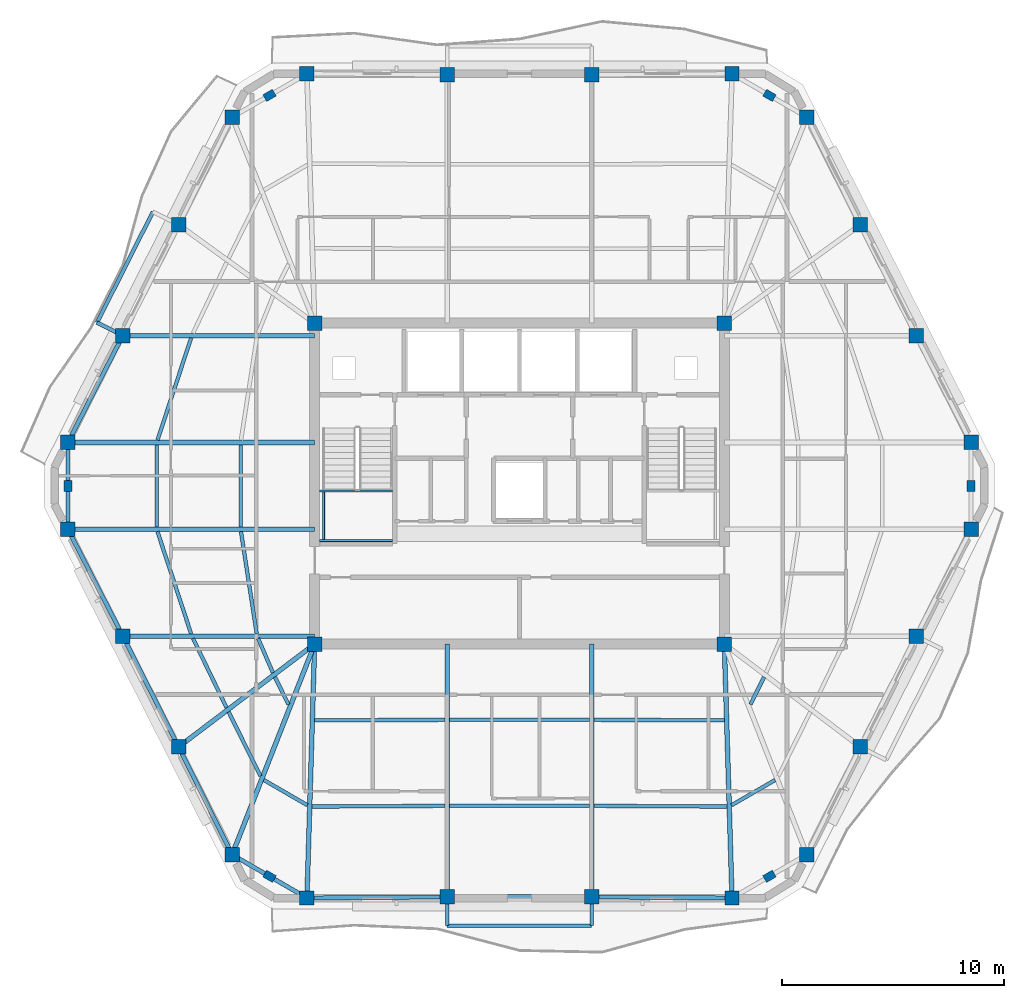
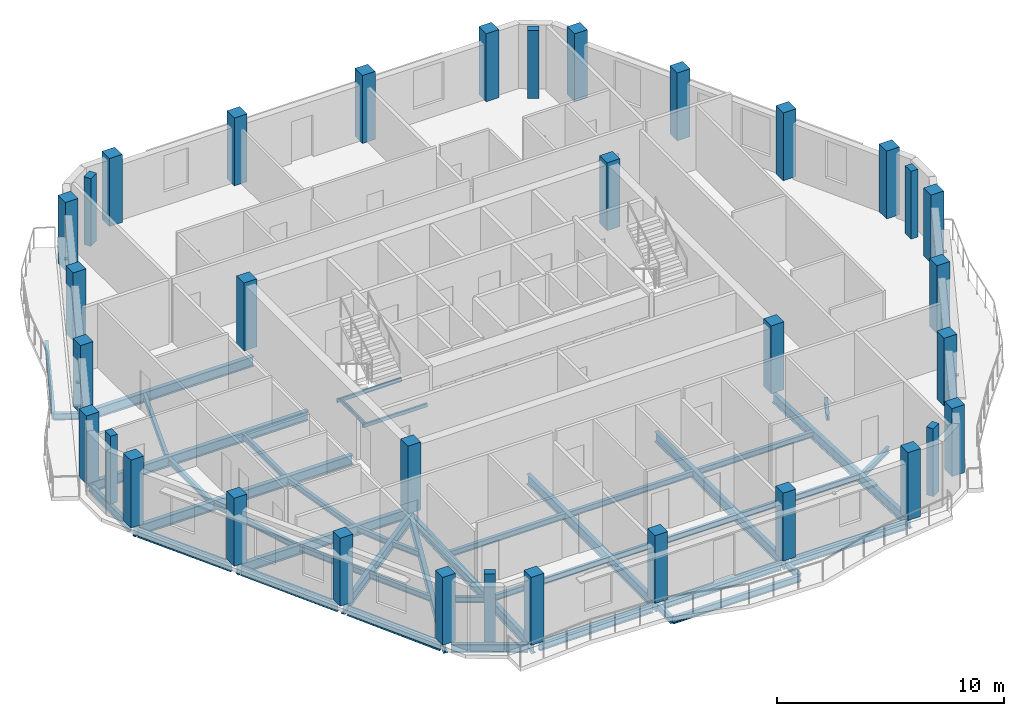
# One storey, part 1 of 12: 45 beams, 34 columns.
"""IFC4 building model written with IfcOpenShell, lengths in metres."""

from ifc_helpers import new_model, si_unit, direction, frame, origin, origin_2d, place, context, subcontext, project, spatial, rectangle, hollow_rectangle, i_section, extrude, material, material_profile, profile_set, type_object, element, save


model = new_model("IFC4")

# Units and contexts
model_context = context("Model", 3, precision=1e-05, world=origin(), true_north=direction((0.0, 1.0)))
body_context = subcontext(model_context, "Body", "Model", "MODEL_VIEW")
ifc_project = project(units=[si_unit("LENGTHUNIT", "METRE"), si_unit("AREAUNIT", "SQUARE_METRE"), si_unit("VOLUMEUNIT", "CUBIC_METRE"), si_unit("PLANEANGLEUNIT", "RADIAN"), si_unit("MASSUNIT", "GRAM", prefix="KILO")], contexts=[model_context])

# Site, building, storey
site_placement = place(None, origin())
site = spatial("IfcSite", under=ifc_project, at=site_placement, CompositionType="ELEMENT")
building_placement = place(site_placement, origin())
building = spatial("IfcBuilding", under=site, at=building_placement, Name="Cinnabar Lancet Tower", CompositionType="ELEMENT")
storey_placement = place(building_placement, frame((0.0, 0.0, 270.800048828125)))
storey = spatial("IfcBuildingStorey", under=building, at=storey_placement, Name="L72", CompositionType="ELEMENT", Elevation=270.800048828125)

# Columns
ifc_material_1 = material(Name="Concrete C50/60", Category="concrete")
ifc_material_profile_1 = material_profile(ifc_material_1, rectangle(XDim=0.64990234375, YDim=0.64990234375, at=origin_2d()), Name="RC-COL 650x650")
ifc_profile_set_1 = profile_set([ifc_material_profile_1], Name="Concrete C50/60")
column_type_1 = type_object("IfcColumnType", Name="STR-COL-CORE-650B", PredefinedType="COLUMN", material=ifc_profile_set_1)
for number, where, z_axis, x_axis, name in (
    (1, (23.175048828125, 18.675048828125, 0.0), (0.0, 0.0, 1.0), (1.0, 0.0, 0.0), "L72 Core Corner Column SW"),
    (2, (41.625, 18.675048828125, 0.0), (0.0, 0.0, 1.0), (1.0, 0.0, 0.0), "L72 Core Corner Column SE"),
    (3, (41.625, 33.125, 0.0), (0.0, 0.0, 1.0), (1.0, 0.0, 0.0), "L72 Core Corner Column NE"),
    (4, (23.175048828125, 33.125, 0.0), (0.0, 0.0, 1.0), (1.0, 0.0, 0.0), "L72 Core Corner Column NW"),
):
    element("IfcColumn", number, at=place(storey_placement, frame(where, z_axis=z_axis, x_axis=x_axis)), inside=storey, type_object=column_type_1, Name=name, PredefinedType="COLUMN", context=body_context, shape_type="SweptSolid", body=[
        extrude(rectangle(XDim=0.64990234375, YDim=0.64990234375, at=origin_2d()), origin(), (0.0, 0.0, 1.0), 3.64990234375),
    ])
ifc_material_2 = material(Name="Concrete C60/75", Category="concrete")
ifc_material_profile_2 = material_profile(ifc_material_2, rectangle(XDim=0.5, YDim=0.35009765625, at=origin_2d()), Name="RC-PIL 500x350")
ifc_profile_set_2 = profile_set([ifc_material_profile_2], Name="Concrete C60/75")
column_type_2 = type_object("IfcColumnType", Name="STR-COL-PIL-500", PredefinedType="PILASTER", material=ifc_profile_set_2)
for number, where, z_axis, x_axis, name in (
    (5, (21.14306640625, 8.215087890625, 0.0), (0.0, 0.0, 1.0), (0.865256437757, -0.501329529272, 0.0), "L72 Chamfered Corner Pilaster 1"),
    (6, (43.656982421875, 8.215087890625, 0.0), (0.0, 0.0, 1.0), (0.865256437757, 0.501329529272, 0.0), "L72 Chamfered Corner Pilaster 2"),
    (7, (52.737060546875, 25.800048828125, 0.0), (0.0, 0.0, 1.0), (0.0, 1.0, 0.0), "L72 Chamfered Corner Pilaster 3"),
    (8, (43.656982421875, 43.385009765625, 0.0), (0.0, 0.0, 1.0), (-0.865256437757, 0.501329529272, 0.0), "L72 Chamfered Corner Pilaster 4"),
    (9, (21.14306640625, 43.385009765625, 0.0), (0.0, 0.0, 1.0), (-0.865256437757, -0.501329529272, 0.0), "L72 Chamfered Corner Pilaster 5"),
    (10, (12.06298828125, 25.800048828125, 0.0), (0.0, 0.0, 1.0), (0.0, -1.0, 0.0), "L72 Chamfered Corner Pilaster 6"),
):
    element("IfcColumn", number, at=place(storey_placement, frame(where, z_axis=z_axis, x_axis=x_axis)), inside=storey, type_object=column_type_2, Name=name, PredefinedType="PILASTER", context=body_context, shape_type="SweptSolid", body=[
        extrude(rectangle(XDim=0.5, YDim=0.35009765625, at=origin_2d()), origin(), (0.0, 0.0, 1.0), 3.64990234375),
    ])
ifc_material_3 = material(Name="Concrete C50/60", Category="concrete")
ifc_material_profile_3 = material_profile(ifc_material_3, rectangle(XDim=0.64990234375, YDim=0.64990234375, at=origin_2d()), Name="RC-COL 650x650")
ifc_profile_set_3 = profile_set([ifc_material_profile_3], Name="Concrete C50/60")
column_type_3 = type_object("IfcColumnType", Name="STR-COL-TUBE-650", PredefinedType="COLUMN", material=ifc_profile_set_3)
for number, where, z_axis, x_axis, name in (
    (11, (22.827880859375, 7.239013671875, 0.0), (0.0, 0.0, 1.0), (1.0, 0.0, 0.0), "L72 Perimeter Tube Column 1"),
    (12, (29.14599609375, 7.2919921875, 0.0), (0.0, 0.0, 1.0), (1.0, 0.0, 0.0), "L72 Perimeter Tube Column 2"),
    (13, (35.654052734375, 7.2919921875, 0.0), (0.0, 0.0, 1.0), (1.0, 0.0, 0.0), "L72 Perimeter Tube Column 3"),
    (14, (41.971923828125, 7.239013671875, 0.0), (0.0, 0.0, 1.0), (1.0, 0.0, 0.0), "L72 Perimeter Tube Column 4"),
    (15, (45.341064453125, 9.19091796875, 0.0), (0.0, 0.0, 1.0), (1.0, 0.0, 0.0), "L72 Perimeter Tube Column 5"),
    (16, (47.7490234375, 14.0458984375, 0.0), (0.0, 0.0, 1.0), (1.0, 0.0, 0.0), "L72 Perimeter Tube Column 6"),
    (17, (50.263916015625, 19.032958984375, 0.0), (0.0, 0.0, 1.0), (1.0, 0.0, 0.0), "L72 Perimeter Tube Column 7"),
    (18, (52.737060546875, 23.844970703125, 0.0), (0.0, 0.0, 1.0), (1.0, 0.0, 0.0), "L72 Perimeter Tube Column 8"),
    (19, (52.737060546875, 27.7548828125, 0.0), (0.0, 0.0, 1.0), (1.0, 0.0, 0.0), "L72 Perimeter Tube Column 9"),
    (20, (50.263916015625, 32.56689453125, 0.0), (0.0, 0.0, 1.0), (1.0, 0.0, 0.0), "L72 Perimeter Tube Column 10"),
    (21, (47.7490234375, 37.553955078125, 0.0), (0.0, 0.0, 1.0), (1.0, 0.0, 0.0), "L72 Perimeter Tube Column 11"),
    (22, (45.341064453125, 42.408935546875, 0.0), (0.0, 0.0, 1.0), (1.0, 0.0, 0.0), "L72 Perimeter Tube Column 12"),
    (23, (41.971923828125, 44.361083984375, 0.0), (0.0, 0.0, 1.0), (1.0, 0.0, 0.0), "L72 Perimeter Tube Column 13"),
    (24, (35.654052734375, 44.30810546875, 0.0), (0.0, 0.0, 1.0), (1.0, 0.0, 0.0), "L72 Perimeter Tube Column 14"),
    (25, (29.14599609375, 44.30810546875, 0.0), (0.0, 0.0, 1.0), (1.0, 0.0, 0.0), "L72 Perimeter Tube Column 15"),
    (26, (22.827880859375, 44.361083984375, 0.0), (0.0, 0.0, 1.0), (1.0, 0.0, 0.0), "L72 Perimeter Tube Column 16"),
    (27, (19.458984375, 42.408935546875, 0.0), (0.0, 0.0, 1.0), (1.0, 0.0, 0.0), "L72 Perimeter Tube Column 17"),
    (28, (17.051025390625, 37.553955078125, 0.0), (0.0, 0.0, 1.0), (1.0, 0.0, 0.0), "L72 Perimeter Tube Column 18"),
    (29, (14.535888671875, 32.56689453125, 0.0), (0.0, 0.0, 1.0), (1.0, 0.0, 0.0), "L72 Perimeter Tube Column 19"),
    (30, (12.06298828125, 27.7548828125, 0.0), (0.0, 0.0, 1.0), (1.0, 0.0, 0.0), "L72 Perimeter Tube Column 20"),
    (31, (12.06298828125, 23.844970703125, 0.0), (0.0, 0.0, 1.0), (1.0, 0.0, 0.0), "L72 Perimeter Tube Column 21"),
    (32, (14.535888671875, 19.032958984375, 0.0), (0.0, 0.0, 1.0), (1.0, 0.0, 0.0), "L72 Perimeter Tube Column 22"),
    (33, (17.051025390625, 14.0458984375, 0.0), (0.0, 0.0, 1.0), (1.0, 0.0, 0.0), "L72 Perimeter Tube Column 23"),
    (34, (19.458984375, 9.19091796875, 0.0), (0.0, 0.0, 1.0), (1.0, 0.0, 0.0), "L72 Perimeter Tube Column 24"),
):
    element("IfcColumn", number, at=place(storey_placement, frame(where, z_axis=z_axis, x_axis=x_axis)), inside=storey, type_object=column_type_3, Name=name, PredefinedType="COLUMN", context=body_context, shape_type="SweptSolid", body=[
        extrude(rectangle(XDim=0.64990234375, YDim=0.64990234375, at=origin_2d()), origin(), (0.0, 0.0, 1.0), 3.64990234375),
    ])

# Beams
ifc_material_4 = material(Name="Structural steel S355", Category="steel")
ifc_material_profile_4 = material_profile(ifc_material_4, i_section(OverallWidth=0.1650390625, OverallDepth=0.303466796875, WebThickness=0.006103515625, FlangeThickness=0.01025390625, FilletRadius=0.0087890625, at=origin_2d()), Name="UKB 305x165x40")
ifc_profile_set_4 = profile_set([ifc_material_profile_4], Name="Structural steel S355")
beam_type_1 = type_object("IfcBeamType", Name="STR-BM-JST-305", PredefinedType="JOIST", material=ifc_profile_set_4)
beam_1_placement = place(storey_placement, frame((16.097900390625, 23.739990234375, -0.35205078125), z_axis=(0.312536616989, -0.949905712711, 0.0), x_axis=(0.949905712711, 0.312536616989, 0.0)))
element("IfcBeam", 35, at=beam_1_placement, inside=storey, type_object=beam_type_1, Name="L72 Secondary Floor Joist 1", PredefinedType="JOIST", context=body_context, shape_type="SweptSolid", body=[
    extrude(i_section(OverallWidth=0.1650390625, OverallDepth=0.303466796875, WebThickness=0.006103515625, FlangeThickness=0.01025390625, FilletRadius=0.0087890625, at=origin_2d()), origin(), (0.0, 0.0, 1.0), 4.8447265625),
])
beam_2_placement = place(storey_placement, frame((19.85791015625, 23.739990234375, -0.35205078125), z_axis=(0.152262059154, -0.988340156698, 0.0), x_axis=(0.988340156698, 0.152262059154, 0.0)))
element("IfcBeam", 36, at=beam_2_placement, inside=storey, type_object=beam_type_1, Name="L72 Secondary Floor Joist 2", PredefinedType="JOIST", context=body_context, shape_type="SweptSolid", body=[
    extrude(i_section(OverallWidth=0.1650390625, OverallDepth=0.303466796875, WebThickness=0.006103515625, FlangeThickness=0.01025390625, FilletRadius=0.0087890625, at=origin_2d()), origin(), (0.0, 0.0, 1.0), 4.65625),
])
beam_3_placement = place(storey_placement, frame((17.697021484375, 18.927978515625, -0.35205078125), z_axis=(0.43610936109, -0.899893674369, 0.0), x_axis=(0.899893674369, 0.43610936109, 0.0)))
element("IfcBeam", 37, at=beam_3_placement, inside=storey, type_object=beam_type_1, Name="L72 Secondary Floor Joist 3", PredefinedType="JOIST", context=body_context, shape_type="SweptSolid", body=[
    extrude(i_section(OverallWidth=0.1650390625, OverallDepth=0.303466796875, WebThickness=0.006103515625, FlangeThickness=0.01025390625, FilletRadius=0.0087890625, at=origin_2d()), origin(), (0.0, 0.0, 1.0), 3.467041015625),
])
beam_4_placement = place(storey_placement, frame((20.62890625, 18.927978515625, -0.35205078125), z_axis=(0.396302440144, -0.91812002262, 0.0), x_axis=(0.91812002262, 0.396302440144, 0.0)))
element("IfcBeam", 38, at=beam_4_placement, inside=storey, type_object=beam_type_1, Name="L72 Secondary Floor Joist 4", PredefinedType="JOIST", context=body_context, shape_type="SweptSolid", body=[
    extrude(i_section(OverallWidth=0.1650390625, OverallDepth=0.303466796875, WebThickness=0.006103515625, FlangeThickness=0.01025390625, FilletRadius=0.0087890625, at=origin_2d()), origin(), (0.0, 0.0, 1.0), 1.6806640625),
])
beam_5_placement = place(storey_placement, frame((19.302978515625, 15.616943359375, -0.35205078125), z_axis=(0.444330443712, -0.895862967641, 0.0), x_axis=(0.895862967641, 0.444330443712, 0.0)))
element("IfcBeam", 39, at=beam_5_placement, inside=storey, type_object=beam_type_1, Name="L72 Secondary Floor Joist 5", PredefinedType="JOIST", context=body_context, shape_type="SweptSolid", body=[
    extrude(i_section(OverallWidth=0.1650390625, OverallDepth=0.303466796875, WebThickness=0.006103515625, FlangeThickness=0.01025390625, FilletRadius=0.0087890625, at=origin_2d()), origin(), (0.0, 0.0, 1.0), 3.220458984375),
])
beam_6_placement = place(storey_placement, frame((21.385009765625, 17.19091796875, -0.35205078125), z_axis=(0.444093192127, -0.89598060063, 0.0), x_axis=(0.89598060063, 0.444093192127, 0.0)))
element("IfcBeam", 40, at=beam_6_placement, inside=storey, type_object=beam_type_1, Name="L72 Secondary Floor Joist 6", PredefinedType="JOIST", context=body_context, shape_type="SweptSolid", body=[
    extrude(i_section(OverallWidth=0.1650390625, OverallDepth=0.303466796875, WebThickness=0.006103515625, FlangeThickness=0.01025390625, FilletRadius=0.0087890625, at=origin_2d()), origin(), (0.0, 0.0, 1.0), 1.378173828125),
])
beam_7_placement = place(storey_placement, frame((20.887939453125, 12.552001953125, -0.35205078125), z_axis=(0.865426285481, -0.501036270542, 0.0), x_axis=(0.501036270542, 0.865426285481, 0.0)))
element("IfcBeam", 41, at=beam_7_placement, inside=storey, type_object=beam_type_1, Name="L72 Secondary Floor Joist 7", PredefinedType="JOIST", context=body_context, shape_type="SweptSolid", body=[
    extrude(i_section(OverallWidth=0.1650390625, OverallDepth=0.303466796875, WebThickness=0.006103515625, FlangeThickness=0.01025390625, FilletRadius=0.0087890625, at=origin_2d()), origin(), (0.0, 0.0, 1.0), 2.267333984375),
])
beam_8_placement = place(storey_placement, frame((23.05810546875, 11.35693359375, -0.35205078125), z_axis=(0.999985712428, 0.005345553266, 0.0), x_axis=(-0.005345553266, 0.999985712428, 0.0)))
element("IfcBeam", 42, at=beam_8_placement, inside=storey, type_object=beam_type_1, Name="L72 Secondary Floor Joist 8", PredefinedType="JOIST", context=body_context, shape_type="SweptSolid", body=[
    extrude(i_section(OverallWidth=0.1650390625, OverallDepth=0.303466796875, WebThickness=0.006103515625, FlangeThickness=0.01025390625, FilletRadius=0.0087890625, at=origin_2d()), origin(), (0.0, 0.0, 1.0), 5.98291015625),
])
beam_9_placement = place(storey_placement, frame((23.176025390625, 15.243896484375, -0.35205078125), z_axis=(0.999996226008, 0.002747356738, 0.0), x_axis=(-0.002747356738, 0.999996226008, 0.0)))
element("IfcBeam", 43, at=beam_9_placement, inside=storey, type_object=beam_type_1, Name="L72 Secondary Floor Joist 9", PredefinedType="JOIST", context=body_context, shape_type="SweptSolid", body=[
    extrude(i_section(OverallWidth=0.1650390625, OverallDepth=0.303466796875, WebThickness=0.006103515625, FlangeThickness=0.01025390625, FilletRadius=0.0087890625, at=origin_2d()), origin(), (0.0, 0.0, 1.0), 5.864990234375),
])
for number, where, z_axis, x_axis, name in (
    (44, (29.2509765625, 11.389892578125, -0.35205078125), (1.0, 0.0, 0.0), (0.0, 1.0, 0.0), "L72 Secondary Floor Joist 10"),
    (45, (29.2509765625, 15.260009765625, -0.35205078125), (1.0, 0.0, 0.0), (0.0, 1.0, 0.0), "L72 Secondary Floor Joist 11"),
):
    element("IfcBeam", number, at=place(storey_placement, frame(where, z_axis=z_axis, x_axis=x_axis)), inside=storey, type_object=beam_type_1, Name=name, PredefinedType="JOIST", context=body_context, shape_type="SweptSolid", body=[
        extrude(i_section(OverallWidth=0.1650390625, OverallDepth=0.303466796875, WebThickness=0.006103515625, FlangeThickness=0.01025390625, FilletRadius=0.0087890625, at=origin_2d()), origin(), (0.0, 0.0, 1.0), 6.298095703125),
    ])
beam_10_placement = place(storey_placement, frame((35.759033203125, 11.388916015625, -0.35205078125), z_axis=(0.999985712428, -0.005345553266, 0.0), x_axis=(0.005345553266, 0.999985712428, 0.0)))
element("IfcBeam", 46, at=beam_10_placement, inside=storey, type_object=beam_type_1, Name="L72 Secondary Floor Joist 12", PredefinedType="JOIST", context=body_context, shape_type="SweptSolid", body=[
    extrude(i_section(OverallWidth=0.1650390625, OverallDepth=0.303466796875, WebThickness=0.006103515625, FlangeThickness=0.01025390625, FilletRadius=0.0087890625, at=origin_2d()), origin(), (0.0, 0.0, 1.0), 5.98291015625),
])
beam_11_placement = place(storey_placement, frame((35.759033203125, 15.260009765625, -0.35205078125), z_axis=(0.999996226008, -0.002747356738, 0.0), x_axis=(0.002747356738, 0.999996226008, 0.0)))
element("IfcBeam", 47, at=beam_11_placement, inside=storey, type_object=beam_type_1, Name="L72 Secondary Floor Joist 13", PredefinedType="JOIST", context=body_context, shape_type="SweptSolid", body=[
    extrude(i_section(OverallWidth=0.1650390625, OverallDepth=0.303466796875, WebThickness=0.006103515625, FlangeThickness=0.01025390625, FilletRadius=0.0087890625, at=origin_2d()), origin(), (0.0, 0.0, 1.0), 5.864990234375),
])
beam_12_placement = place(storey_placement, frame((41.949951171875, 11.416015625, -0.35205078125), z_axis=(0.865426285481, 0.501036270542, 0.0), x_axis=(-0.501036270542, 0.865426285481, 0.0)))
element("IfcBeam", 48, at=beam_12_placement, inside=storey, type_object=beam_type_1, Name="L72 Secondary Floor Joist 14", PredefinedType="JOIST", context=body_context, shape_type="SweptSolid", body=[
    extrude(i_section(OverallWidth=0.1650390625, OverallDepth=0.303466796875, WebThickness=0.006103515625, FlangeThickness=0.01025390625, FilletRadius=0.0087890625, at=origin_2d()), origin(), (0.0, 0.0, 1.0), 2.267333984375),
])
beam_13_placement = place(storey_placement, frame((42.802978515625, 15.9560546875, -0.35205078125), z_axis=(0.444093192127, 0.89598060063, 0.0), x_axis=(-0.89598060063, 0.444093192127, 0.0)))
element("IfcBeam", 49, at=beam_13_placement, inside=storey, type_object=beam_type_1, Name="L72 Secondary Floor Joist 16", PredefinedType="JOIST", context=body_context, shape_type="SweptSolid", body=[
    extrude(i_section(OverallWidth=0.1650390625, OverallDepth=0.303466796875, WebThickness=0.006103515625, FlangeThickness=0.01025390625, FilletRadius=0.0087890625, at=origin_2d()), origin(), (0.0, 0.0, 1.0), 1.378173828125),
])
beam_14_placement = place(storey_placement, frame((17.612060546875, 32.4619140625, -0.35205078125), z_axis=(-0.312551578319, -0.949900790025, 0.0), x_axis=(0.949900790025, -0.312551578319, 0.0)))
element("IfcBeam", 50, at=beam_14_placement, inside=storey, type_object=beam_type_1, Name="L72 Secondary Floor Joist 41", PredefinedType="JOIST", context=body_context, shape_type="SweptSolid", body=[
    extrude(i_section(OverallWidth=0.1650390625, OverallDepth=0.303466796875, WebThickness=0.006103515625, FlangeThickness=0.01025390625, FilletRadius=0.0087890625, at=origin_2d()), origin(), (0.0, 0.0, 1.0), 4.844482421875),
])
for number, where, z_axis, x_axis, name in (
    (51, (16.06298828125, 27.64990234375, -0.35205078125), (0.0, -1.0, 0.0), (1.0, 0.0, 0.0), "L72 Secondary Floor Joist 43"),
    (52, (19.841064453125, 27.64990234375, -0.35205078125), (0.0, -1.0, 0.0), (1.0, 0.0, 0.0), "L72 Secondary Floor Joist 44"),
):
    element("IfcBeam", number, at=place(storey_placement, frame(where, z_axis=z_axis, x_axis=x_axis)), inside=storey, type_object=beam_type_1, Name=name, PredefinedType="JOIST", context=body_context, shape_type="SweptSolid", body=[
        extrude(i_section(OverallWidth=0.1650390625, OverallDepth=0.303466796875, WebThickness=0.006103515625, FlangeThickness=0.01025390625, FilletRadius=0.0087890625, at=origin_2d()), origin(), (0.0, 0.0, 1.0), 3.699951171875),
    ])
ifc_material_5 = material(Name="Structural steel S355", Category="steel")
ifc_material_profile_5 = material_profile(ifc_material_5, hollow_rectangle(XDim=0.10009765625, YDim=0.199951171875, WallThickness=0.008056640625, InnerFilletRadius=0.00390625, OuterFilletRadius=0.011962890625, at=origin_2d()), Name="RHS 200x100x8")
ifc_profile_set_5 = profile_set([ifc_material_profile_5], Name="Structural steel S355")
beam_type_2 = type_object("IfcBeamType", Name="STR-BM-LND-203", PredefinedType="BEAM", material=ifc_profile_set_5)
for number, where, z_axis, x_axis, name in (
    (53, (23.39990234375, 23.330078125, 1.52490234375), (1.0, 0.0, 0.0), (0.0, 1.0, 0.0), "L72 ST-1-L72 Landing Support Beam S"),
    (54, (23.39990234375, 25.570068359375, 1.52490234375), (1.0, 0.0, 0.0), (0.0, 1.0, 0.0), "L72 ST-1-L72 Landing Support Beam N"),
):
    element("IfcBeam", number, at=place(storey_placement, frame(where, z_axis=z_axis, x_axis=x_axis)), inside=storey, type_object=beam_type_2, Name=name, PredefinedType="BEAM", context=body_context, shape_type="SweptSolid", body=[
        extrude(hollow_rectangle(XDim=0.10009765625, YDim=0.199951171875, WallThickness=0.008056640625, InnerFilletRadius=0.00390625, OuterFilletRadius=0.011962890625, at=origin_2d()), origin(), (0.0, 0.0, 1.0), 3.280029296875),
    ])
beam_15_placement = place(storey_placement, frame((23.580078125, 23.3798828125, 1.52490234375), z_axis=(0.0, 1.0, 0.0), x_axis=(-1.0, 0.0, 0.0)))
element("IfcBeam", 55, at=beam_15_placement, inside=storey, type_object=beam_type_2, Name="L72 ST-1-L72 Landing Side Trimmer Beam", PredefinedType="BEAM", context=body_context, shape_type="SweptSolid", body=[
    extrude(hollow_rectangle(XDim=0.10009765625, YDim=0.199951171875, WallThickness=0.008056640625, InnerFilletRadius=0.00390625, OuterFilletRadius=0.011962890625, at=origin_2d()), origin(), (0.0, 0.0, 1.0), 2.14013671875),
])
ifc_material_6 = material(Name="Structural steel S355", Category="steel")
ifc_material_profile_6 = material_profile(ifc_material_6, i_section(OverallWidth=0.1904296875, OverallDepth=0.45703125, WebThickness=0.009033203125, FlangeThickness=0.014404296875, FilletRadius=0.01025390625, at=origin_2d()), Name="UKB 457x191x74")
ifc_profile_set_6 = profile_set([ifc_material_profile_6], Name="Structural steel S355")
beam_type_3 = type_object("IfcBeamType", Name="STR-BM-SPN-457", PredefinedType="SPANDREL", material=ifc_profile_set_6)
beam_16_placement = place(storey_placement, frame((23.077880859375, 7.240966796875, -0.427978515625), z_axis=(0.999964432412, 0.008434092187, 0.0), x_axis=(-0.008434092187, 0.999964432412, 0.0)))
element("IfcBeam", 56, at=beam_16_placement, inside=storey, type_object=beam_type_3, Name="L72 Perimeter Spandrel 1", PredefinedType="SPANDREL", context=body_context, shape_type="SweptSolid", body=[
    extrude(i_section(OverallWidth=0.1904296875, OverallDepth=0.45703125, WebThickness=0.009033203125, FlangeThickness=0.014404296875, FilletRadius=0.01025390625, at=origin_2d()), origin(), (0.0, 0.0, 1.0), 5.818359375),
])
beam_17_placement = place(storey_placement, frame((29.39599609375, 7.2919921875, -0.427978515625), z_axis=(1.0, 0.0, 0.0), x_axis=(0.0, 1.0, 0.0)))
element("IfcBeam", 57, at=beam_17_placement, inside=storey, type_object=beam_type_3, Name="L72 Perimeter Spandrel 2", PredefinedType="SPANDREL", context=body_context, shape_type="SweptSolid", body=[
    extrude(i_section(OverallWidth=0.1904296875, OverallDepth=0.45703125, WebThickness=0.009033203125, FlangeThickness=0.014404296875, FilletRadius=0.01025390625, at=origin_2d()), origin(), (0.0, 0.0, 1.0), 6.008056640625),
])
beam_18_placement = place(storey_placement, frame((35.904052734375, 7.2900390625, -0.427978515625), z_axis=(0.999964429427, -0.00843444609, 0.0), x_axis=(0.00843444609, 0.999964429427, 0.0)))
element("IfcBeam", 58, at=beam_18_placement, inside=storey, type_object=beam_type_3, Name="L72 Perimeter Spandrel 3", PredefinedType="SPANDREL", context=body_context, shape_type="SweptSolid", body=[
    extrude(i_section(OverallWidth=0.1904296875, OverallDepth=0.45703125, WebThickness=0.009033203125, FlangeThickness=0.014404296875, FilletRadius=0.01025390625, at=origin_2d()), origin(), (0.0, 0.0, 1.0), 5.818115234375),
])
beam_19_placement = place(storey_placement, frame((14.422119140625, 32.344970703125, -0.427978515625), z_axis=(-0.457148063427, -0.889390604912, 0.0), x_axis=(0.889390604912, -0.457148063427, 0.0)))
element("IfcBeam", 59, at=beam_19_placement, inside=storey, type_object=beam_type_3, Name="L72 Perimeter Spandrel 19", PredefinedType="SPANDREL", context=body_context, shape_type="SweptSolid", body=[
    extrude(i_section(OverallWidth=0.1904296875, OverallDepth=0.45703125, WebThickness=0.009033203125, FlangeThickness=0.014404296875, FilletRadius=0.01025390625, at=origin_2d()), origin(), (0.0, 0.0, 1.0), 4.9111328125),
])
beam_20_placement = place(storey_placement, frame((12.06298828125, 27.5048828125, -0.427978515625), z_axis=(0.0, -1.0, 0.0), x_axis=(1.0, 0.0, 0.0)))
element("IfcBeam", 60, at=beam_20_placement, inside=storey, type_object=beam_type_3, Name="L72 Perimeter Spandrel 20", PredefinedType="SPANDREL", context=body_context, shape_type="SweptSolid", body=[
    extrude(i_section(OverallWidth=0.1904296875, OverallDepth=0.45703125, WebThickness=0.009033203125, FlangeThickness=0.014404296875, FilletRadius=0.01025390625, at=origin_2d()), origin(), (0.0, 0.0, 1.0), 3.409912109375),
])
beam_21_placement = place(storey_placement, frame((12.177001953125, 23.623046875, -0.427978515625), z_axis=(0.457127852293, -0.889400993174, 0.0), x_axis=(0.889400993174, 0.457127852293, 0.0)))
element("IfcBeam", 61, at=beam_21_placement, inside=storey, type_object=beam_type_3, Name="L72 Perimeter Spandrel 21", PredefinedType="SPANDREL", context=body_context, shape_type="SweptSolid", body=[
    extrude(i_section(OverallWidth=0.1904296875, OverallDepth=0.45703125, WebThickness=0.009033203125, FlangeThickness=0.014404296875, FilletRadius=0.01025390625, at=origin_2d()), origin(), (0.0, 0.0, 1.0), 4.911376953125),
])
beam_22_placement = place(storey_placement, frame((14.64892578125, 18.81005859375, -0.427978515625), z_axis=(0.450130146726, -0.892962961722, 0.0), x_axis=(0.892962961722, 0.450130146726, 0.0)))
element("IfcBeam", 62, at=beam_22_placement, inside=storey, type_object=beam_type_3, Name="L72 Perimeter Spandrel 22", PredefinedType="SPANDREL", context=body_context, shape_type="SweptSolid", body=[
    extrude(i_section(OverallWidth=0.1904296875, OverallDepth=0.45703125, WebThickness=0.009033203125, FlangeThickness=0.014404296875, FilletRadius=0.01025390625, at=origin_2d()), origin(), (0.0, 0.0, 1.0), 5.08544921875),
])
beam_23_placement = place(storey_placement, frame((17.162109375, 13.822021484375, -0.427978515625), z_axis=(0.44433276947, -0.895861814107, 0.0), x_axis=(0.895861814107, 0.44433276947, 0.0)))
element("IfcBeam", 63, at=beam_23_placement, inside=storey, type_object=beam_type_3, Name="L72 Perimeter Spandrel 23", PredefinedType="SPANDREL", context=body_context, shape_type="SweptSolid", body=[
    extrude(i_section(OverallWidth=0.1904296875, OverallDepth=0.45703125, WebThickness=0.009033203125, FlangeThickness=0.014404296875, FilletRadius=0.01025390625, at=origin_2d()), origin(), (0.0, 0.0, 1.0), 4.919189453125),
])
beam_24_placement = place(storey_placement, frame((19.675048828125, 9.06591796875, -0.427978515625), z_axis=(0.865230894194, -0.50137361292, 0.0), x_axis=(0.50137361292, 0.865230894194, 0.0)))
element("IfcBeam", 64, at=beam_24_placement, inside=storey, type_object=beam_type_3, Name="L72 Perimeter Spandrel 24", PredefinedType="SPANDREL", context=body_context, shape_type="SweptSolid", body=[
    extrude(i_section(OverallWidth=0.1904296875, OverallDepth=0.45703125, WebThickness=0.009033203125, FlangeThickness=0.014404296875, FilletRadius=0.01025390625, at=origin_2d()), origin(), (0.0, 0.0, 1.0), 3.39453125),
])
ifc_material_7 = material(Name="Structural steel S355", Category="steel")
ifc_material_profile_7 = material_profile(ifc_material_7, i_section(OverallWidth=0.209228515625, OverallDepth=0.533203125, WebThickness=0.010009765625, FlangeThickness=0.015625, FilletRadius=0.0126953125, at=origin_2d()), Name="UKB 533x210x92")
ifc_profile_set_7 = profile_set([ifc_material_profile_7], Name="Structural steel S355")
beam_type_4 = type_object("IfcBeamType", Name="STR-BM-UKB533-92", PredefinedType="BEAM", material=ifc_profile_set_7)
beam_25_placement = place(storey_placement, frame((17.051025390625, 14.0458984375, -0.467041015625), z_axis=(0.797735075719, 0.603008083667, 0.0), x_axis=(-0.603008083667, 0.797735075719, 0.0)))
element("IfcBeam", 65, at=beam_25_placement, inside=storey, type_object=beam_type_4, Name="L72 Corner Collector Girder 1", PredefinedType="BEAM", context=body_context, shape_type="SweptSolid", body=[
    extrude(i_section(OverallWidth=0.209228515625, OverallDepth=0.533203125, WebThickness=0.010009765625, FlangeThickness=0.015625, FilletRadius=0.0126953125, at=origin_2d()), origin(), (0.0, 0.0, 1.0), 7.6767578125),
])
beam_26_placement = place(storey_placement, frame((22.827880859375, 7.239013671875, -0.467041015625), z_axis=(0.030343393029, 0.999539533235, 0.0), x_axis=(-0.999539533235, 0.030343393029, 0.0)))
element("IfcBeam", 66, at=beam_26_placement, inside=storey, type_object=beam_type_4, Name="L72 Primary Floor Girder 1", PredefinedType="BEAM", context=body_context, shape_type="SweptSolid", body=[
    extrude(i_section(OverallWidth=0.209228515625, OverallDepth=0.533203125, WebThickness=0.010009765625, FlangeThickness=0.015625, FilletRadius=0.0126953125, at=origin_2d()), origin(), (0.0, 0.0, 1.0), 11.44140625),
])
for number, where, z_axis, x_axis, name in (
    (67, (29.14599609375, 7.2919921875, -0.467041015625), (0.0, 1.0, 0.0), (-1.0, 0.0, 0.0), "L72 Primary Floor Girder 2"),
    (68, (35.654052734375, 7.2919921875, -0.467041015625), (0.0, 1.0, 0.0), (-1.0, 0.0, 0.0), "L72 Primary Floor Girder 3"),
):
    element("IfcBeam", number, at=place(storey_placement, frame(where, z_axis=z_axis, x_axis=x_axis)), inside=storey, type_object=beam_type_4, Name=name, PredefinedType="BEAM", context=body_context, shape_type="SweptSolid", body=[
        extrude(i_section(OverallWidth=0.209228515625, OverallDepth=0.533203125, WebThickness=0.010009765625, FlangeThickness=0.015625, FilletRadius=0.0126953125, at=origin_2d()), origin(), (0.0, 0.0, 1.0), 11.383056640625),
    ])
beam_27_placement = place(storey_placement, frame((41.971923828125, 7.239013671875, -0.467041015625), z_axis=(-0.030322074123, 0.999540180193, 0.0), x_axis=(-0.999540180193, -0.030322074123, 0.0)))
element("IfcBeam", 69, at=beam_27_placement, inside=storey, type_object=beam_type_4, Name="L72 Primary Floor Girder 4", PredefinedType="BEAM", context=body_context, shape_type="SweptSolid", body=[
    extrude(i_section(OverallWidth=0.209228515625, OverallDepth=0.533203125, WebThickness=0.010009765625, FlangeThickness=0.015625, FilletRadius=0.0126953125, at=origin_2d()), origin(), (0.0, 0.0, 1.0), 11.44140625),
])
beam_28_placement = place(storey_placement, frame((14.535888671875, 32.56689453125, -0.467041015625), z_axis=(1.0, 0.0, 0.0), x_axis=(0.0, 1.0, 0.0)))
element("IfcBeam", 70, at=beam_28_placement, inside=storey, type_object=beam_type_4, Name="L72 Primary Floor Girder 19", PredefinedType="BEAM", context=body_context, shape_type="SweptSolid", body=[
    extrude(i_section(OverallWidth=0.209228515625, OverallDepth=0.533203125, WebThickness=0.010009765625, FlangeThickness=0.015625, FilletRadius=0.0126953125, at=origin_2d()), origin(), (0.0, 0.0, 1.0), 8.63916015625),
])
for number, where, z_axis, x_axis, name in (
    (71, (12.06298828125, 27.7548828125, -0.467041015625), (1.0, 0.0, 0.0), (0.0, 1.0, 0.0), "L72 Primary Floor Girder 20"),
    (72, (12.06298828125, 23.844970703125, -0.467041015625), (1.0, 0.0, 0.0), (0.0, 1.0, 0.0), "L72 Primary Floor Girder 21"),
):
    element("IfcBeam", number, at=place(storey_placement, frame(where, z_axis=z_axis, x_axis=x_axis)), inside=storey, type_object=beam_type_4, Name=name, PredefinedType="BEAM", context=body_context, shape_type="SweptSolid", body=[
        extrude(i_section(OverallWidth=0.209228515625, OverallDepth=0.533203125, WebThickness=0.010009765625, FlangeThickness=0.015625, FilletRadius=0.0126953125, at=origin_2d()), origin(), (0.0, 0.0, 1.0), 11.112060546875),
    ])
beam_29_placement = place(storey_placement, frame((14.535888671875, 19.032958984375, -0.467041015625), z_axis=(1.0, 0.0, 0.0), x_axis=(0.0, 1.0, 0.0)))
element("IfcBeam", 73, at=beam_29_placement, inside=storey, type_object=beam_type_4, Name="L72 Primary Floor Girder 22", PredefinedType="BEAM", context=body_context, shape_type="SweptSolid", body=[
    extrude(i_section(OverallWidth=0.209228515625, OverallDepth=0.533203125, WebThickness=0.010009765625, FlangeThickness=0.015625, FilletRadius=0.0126953125, at=origin_2d()), origin(), (0.0, 0.0, 1.0), 8.63916015625),
])
beam_30_placement = place(storey_placement, frame((19.458984375, 9.19091796875, -0.467041015625), z_axis=(0.364815017375, 0.931080019707, 0.0), x_axis=(-0.931080019707, 0.364815017375, 0.0)))
element("IfcBeam", 74, at=beam_30_placement, inside=storey, type_object=beam_type_4, Name="L72 Primary Floor Girder 24", PredefinedType="BEAM", context=body_context, shape_type="SweptSolid", body=[
    extrude(i_section(OverallWidth=0.209228515625, OverallDepth=0.533203125, WebThickness=0.010009765625, FlangeThickness=0.015625, FilletRadius=0.0126953125, at=origin_2d()), origin(), (0.0, 0.0, 1.0), 10.186279296875),
])
ifc_material_8 = material(Name="Structural steel S355", Category="steel")
ifc_material_profile_8 = material_profile(ifc_material_8, i_section(OverallWidth=0.17138671875, OverallDepth=0.35498046875, WebThickness=0.00732421875, FlangeThickness=0.011474609375, FilletRadius=0.01025390625, at=origin_2d()), Name="UKB 356x171x51")
ifc_profile_set_8 = profile_set([ifc_material_profile_8], Name="Structural steel S355")
beam_type_5 = type_object("IfcBeamType", Name="STR-BM-WAV-OUT", PredefinedType="BEAM", material=ifc_profile_set_8)
for number, where, z_axis, x_axis, name in (
    (75, (29.14599609375, 7.2919921875, -0.39794921875), (0.0, -1.0, 0.0), (1.0, 0.0, 0.0), "L72 Face 1 Balcony Outlooker A"),
    (76, (35.654052734375, 7.2919921875, -0.39794921875), (0.0, -1.0, 0.0), (1.0, 0.0, 0.0), "L72 Face 1 Balcony Outlooker B"),
    (77, (14.535888671875, 32.56689453125, -0.39794921875), (-0.892200264127, 0.451639998995, 0.0), (-0.451639998995, -0.892200264127, 0.0), "L72 Face 5 Balcony Outlooker B"),
):
    element("IfcBeam", number, at=place(storey_placement, frame(where, z_axis=z_axis, x_axis=x_axis)), inside=storey, type_object=beam_type_5, Name=name, PredefinedType="BEAM", context=body_context, shape_type="SweptSolid", body=[
        extrude(i_section(OverallWidth=0.17138671875, OverallDepth=0.35498046875, WebThickness=0.00732421875, FlangeThickness=0.011474609375, FilletRadius=0.01025390625, at=origin_2d()), origin(), (0.0, 0.0, 1.0), 1.300048828125),
    ])
ifc_material_9 = material(Name="Structural steel S355", Category="steel")
ifc_material_profile_9 = material_profile(ifc_material_9, i_section(OverallWidth=0.17138671875, OverallDepth=0.35498046875, WebThickness=0.00732421875, FlangeThickness=0.011474609375, FilletRadius=0.01025390625, at=origin_2d()), Name="UKB 356x171x51")
ifc_profile_set_9 = profile_set([ifc_material_profile_9], Name="Structural steel S355")
beam_type_6 = type_object("IfcBeamType", Name="STR-BM-WAV-TRIM", PredefinedType="SPANDREL", material=ifc_profile_set_9)
beam_31_placement = place(storey_placement, frame((29.14599609375, 5.991943359375, -0.39794921875), z_axis=(1.0, 0.0, 0.0), x_axis=(0.0, 1.0, 0.0)))
element("IfcBeam", 78, at=beam_31_placement, inside=storey, type_object=beam_type_6, Name="L72 Face 1 Balcony Edge Trimmer", PredefinedType="SPANDREL", context=body_context, shape_type="SweptSolid", body=[
    extrude(i_section(OverallWidth=0.17138671875, OverallDepth=0.35498046875, WebThickness=0.00732421875, FlangeThickness=0.011474609375, FilletRadius=0.01025390625, at=origin_2d()), origin(), (0.0, 0.0, 1.0), 6.508056640625),
])
beam_32_placement = place(storey_placement, frame((15.89111328125, 38.14111328125, -0.39794921875), z_axis=(-0.450305622338, -0.892874485295, 0.0), x_axis=(0.892874485295, -0.450305622338, 0.0)))
element("IfcBeam", 79, at=beam_32_placement, inside=storey, type_object=beam_type_6, Name="L72 Face 5 Balcony Edge Trimmer", PredefinedType="SPANDREL", context=body_context, shape_type="SweptSolid", body=[
    extrude(i_section(OverallWidth=0.17138671875, OverallDepth=0.35498046875, WebThickness=0.00732421875, FlangeThickness=0.011474609375, FilletRadius=0.01025390625, at=origin_2d()), origin(), (0.0, 0.0, 1.0), 5.58544921875),
])

save(model, "model.ifc")
